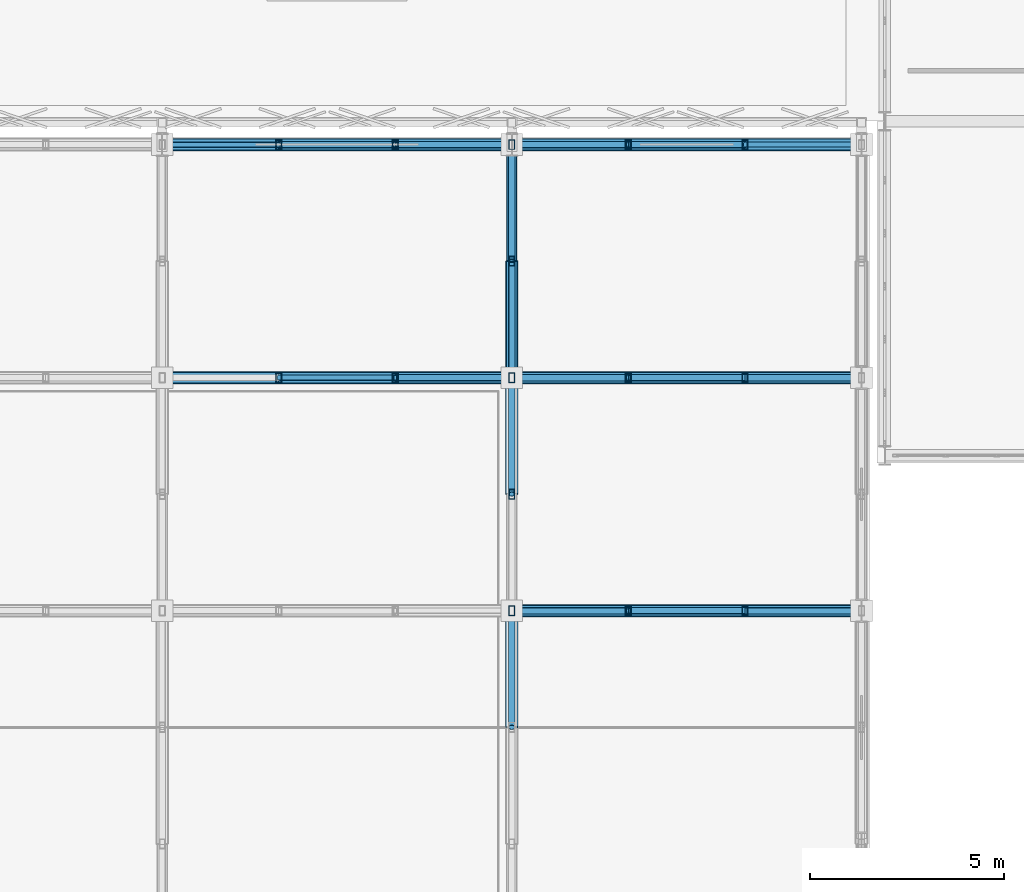
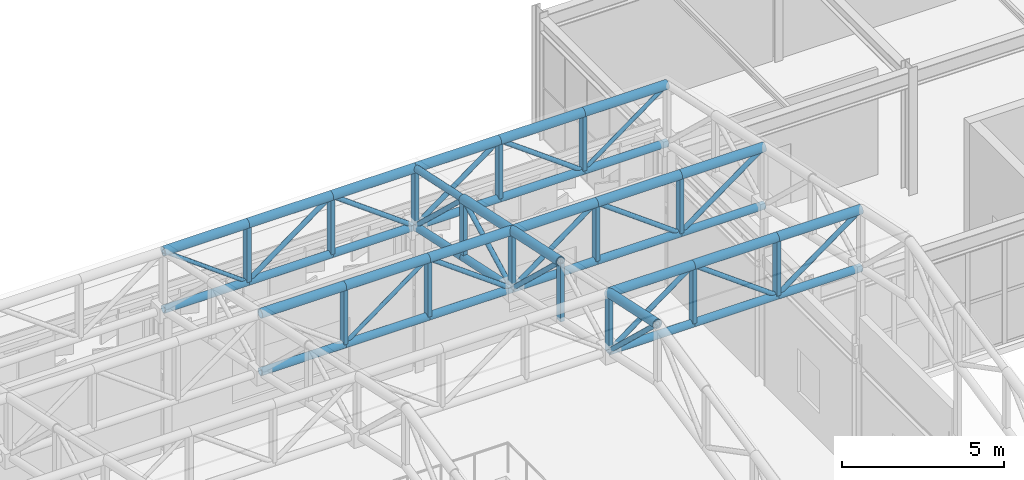
# One storey, part 22 of 112: 69 members.
"""IFC4 building model written with IfcOpenShell, lengths in metres."""

from ifc_helpers import new_model, si_unit, direction, frame, origin, origin_2d, place, context, subcontext, project, spatial, hollow_rectangle, hollow_circle, extrude, material, material_profile, profile_set, type_object, element, save


model = new_model("IFC4")

# Units and contexts
model_context = context("Model", 3, precision=1e-05, world=origin(), true_north=direction((0.0, 1.0)))
body_context = subcontext(model_context, "Body", "Model", "MODEL_VIEW")
ifc_project = project(units=[si_unit("LENGTHUNIT", "METRE"), si_unit("AREAUNIT", "SQUARE_METRE"), si_unit("VOLUMEUNIT", "CUBIC_METRE"), si_unit("PLANEANGLEUNIT", "RADIAN"), si_unit("MASSUNIT", "GRAM", prefix="KILO")], contexts=[model_context])

# Site, building, storey
site_placement = place(None, origin())
site = spatial("IfcSite", under=ifc_project, at=site_placement, CompositionType="ELEMENT")
building_placement = place(site_placement, origin())
building = spatial("IfcBuilding", under=site, at=building_placement, Name="Kaldris Quays Convention Centre", CompositionType="ELEMENT")
storey_placement = place(building_placement, frame((0.0, 0.0, 16.800048828125)))
storey = spatial("IfcBuildingStorey", under=building, at=storey_placement, Name="L03", CompositionType="ELEMENT", Elevation=16.800048828125)

# Members
ifc_material = material(Name="Steel S355J2H", Category="steel")
ifc_material_profile_1 = material_profile(ifc_material, hollow_circle(Radius=0.161865234375, WallThickness=0.01611328125, at=origin_2d()), Name="CHS 323.9x16")
ifc_profile_set_1 = profile_set([ifc_material_profile_1], Name="Steel S355J2H")
member_type_1 = type_object("IfcMemberType", Name="STRUCTURAL MEMBER SC03", PredefinedType="CHORD", material=ifc_profile_set_1)
for number, where, z_axis, x_axis, name in (
    (1, (74.0, 34.0, 10.09033203125), (1.0, 0.0, 0.0), (0.0, 1.0, 0.0), "SF-V3 Top Chord X 61"),
    (2, (77.0, 34.0, 10.09033203125), (1.0, 0.0, 0.0), (0.0, 1.0, 0.0), "SF-V3 Top Chord X 62"),
    (3, (80.0, 34.0, 10.09033203125), (1.0, 0.0, 0.0), (0.0, 1.0, 0.0), "SF-V3 Top Chord X 63"),
    (4, (65.0, 40.0, 8.810546875), (1.0, 0.0, 0.0), (0.0, 1.0, 0.0), "SF-V3 Top Chord X 79"),
    (5, (68.0, 40.0, 8.810546875), (1.0, 0.0, 0.0), (0.0, 1.0, 0.0), "SF-V3 Top Chord X 80"),
    (6, (71.0, 40.0, 8.810546875), (1.0, 0.0, 0.0), (0.0, 1.0, 0.0), "SF-V3 Top Chord X 81"),
    (7, (74.0, 40.0, 8.810546875), (1.0, 0.0, 0.0), (0.0, 1.0, 0.0), "SF-V3 Top Chord X 82"),
    (8, (77.0, 40.0, 8.810546875), (1.0, 0.0, 0.0), (0.0, 1.0, 0.0), "SF-V3 Top Chord X 83"),
    (9, (80.0, 40.0, 8.810546875), (1.0, 0.0, 0.0), (0.0, 1.0, 0.0), "SF-V3 Top Chord X 84"),
    (10, (65.0, 46.0, 7.530517578125), (1.0, 0.0, 0.0), (0.0, 1.0, 0.0), "SF-V3 Top Chord X 100"),
    (11, (68.0, 46.0, 7.530517578125), (1.0, 0.0, 0.0), (0.0, 1.0, 0.0), "SF-V3 Top Chord X 101"),
    (12, (71.0, 46.0, 7.530517578125), (1.0, 0.0, 0.0), (0.0, 1.0, 0.0), "SF-V3 Top Chord X 102"),
    (13, (74.0, 46.0, 7.530517578125), (1.0, 0.0, 0.0), (0.0, 1.0, 0.0), "SF-V3 Top Chord X 103"),
    (14, (77.0, 46.0, 7.530517578125), (1.0, 0.0, 0.0), (0.0, 1.0, 0.0), "SF-V3 Top Chord X 104"),
    (15, (80.0, 46.0, 7.530517578125), (1.0, 0.0, 0.0), (0.0, 1.0, 0.0), "SF-V3 Top Chord X 105"),
):
    element("IfcMember", number, at=place(storey_placement, frame(where, z_axis=z_axis, x_axis=x_axis)), inside=storey, type_object=member_type_1, Name=name, PredefinedType="CHORD", context=body_context, shape_type="SweptSolid", body=[
        extrude(hollow_circle(Radius=0.161865234375, WallThickness=0.01611328125, at=origin_2d()), origin(), (0.0, 0.0, 1.0), 3.0),
    ])
member_1_placement = place(storey_placement, frame((74.0, 31.0, 10.73046875), z_axis=(0.0, 0.977983741211, -0.20868110103), x_axis=(-1.0, 0.0, 0.0)))
element("IfcMember", 16, at=member_1_placement, inside=storey, type_object=member_type_1, Name="SF-V3 Top Chord Y 171", PredefinedType="CHORD", context=body_context, shape_type="SweptSolid", body=[
    extrude(hollow_circle(Radius=0.161865234375, WallThickness=0.01611328125, at=origin_2d()), origin(), (0.0, 0.0, 1.0), 3.067626953125),
])
member_2_placement = place(storey_placement, frame((74.0, 37.0, 9.450439453125), z_axis=(0.0, 0.977999981478, -0.208604976518), x_axis=(-1.0, 0.0, 0.0)))
element("IfcMember", 17, at=member_2_placement, inside=storey, type_object=member_type_1, Name="SF-V3 Top Chord Y 173", PredefinedType="CHORD", context=body_context, shape_type="SweptSolid", body=[
    extrude(hollow_circle(Radius=0.161865234375, WallThickness=0.01611328125, at=origin_2d()), origin(), (0.0, 0.0, 1.0), 3.0673828125),
])
member_3_placement = place(storey_placement, frame((74.0, 40.0, 8.810546875), z_axis=(0.0, 0.977983741211, -0.20868110103), x_axis=(-1.0, 0.0, 0.0)))
element("IfcMember", 18, at=member_3_placement, inside=storey, type_object=member_type_1, Name="SF-V3 Top Chord Y 174", PredefinedType="CHORD", context=body_context, shape_type="SweptSolid", body=[
    extrude(hollow_circle(Radius=0.161865234375, WallThickness=0.01611328125, at=origin_2d()), origin(), (0.0, 0.0, 1.0), 3.067626953125),
])
ifc_material_profile_2 = material_profile(ifc_material, hollow_circle(Radius=0.136474609375, WallThickness=0.012451171875, at=origin_2d()), Name="CHS 273x12.5")
ifc_profile_set_2 = profile_set([ifc_material_profile_2], Name="Steel S355J2H")
member_type_2 = type_object("IfcMemberType", Name="STRUCTURAL MEMBER SC04", PredefinedType="CHORD", material=ifc_profile_set_2)
for number, where, z_axis, x_axis, name in (
    (19, (74.0, 34.0, 7.890380859375), (1.0, 0.0, 0.0), (0.0, 1.0, 0.0), "SF-V3 Bottom Chord X 61"),
    (20, (77.0, 34.0, 7.890380859375), (1.0, 0.0, 0.0), (0.0, 1.0, 0.0), "SF-V3 Bottom Chord X 62"),
    (21, (80.0, 34.0, 7.890380859375), (1.0, 0.0, 0.0), (0.0, 1.0, 0.0), "SF-V3 Bottom Chord X 63"),
    (22, (65.0, 40.0, 6.6103515625), (1.0, 0.0, 0.0), (0.0, 1.0, 0.0), "SF-V3 Bottom Chord X 79"),
    (23, (68.0, 40.0, 6.6103515625), (1.0, 0.0, 0.0), (0.0, 1.0, 0.0), "SF-V3 Bottom Chord X 80"),
    (24, (71.0, 40.0, 6.6103515625), (1.0, 0.0, 0.0), (0.0, 1.0, 0.0), "SF-V3 Bottom Chord X 81"),
    (25, (74.0, 40.0, 6.6103515625), (1.0, 0.0, 0.0), (0.0, 1.0, 0.0), "SF-V3 Bottom Chord X 82"),
    (26, (77.0, 40.0, 6.6103515625), (1.0, 0.0, 0.0), (0.0, 1.0, 0.0), "SF-V3 Bottom Chord X 83"),
    (27, (80.0, 40.0, 6.6103515625), (1.0, 0.0, 0.0), (0.0, 1.0, 0.0), "SF-V3 Bottom Chord X 84"),
    (28, (65.0, 46.0, 5.33056640625), (1.0, 0.0, 0.0), (0.0, 1.0, 0.0), "SF-V3 Bottom Chord X 100"),
    (29, (68.0, 46.0, 5.33056640625), (1.0, 0.0, 0.0), (0.0, 1.0, 0.0), "SF-V3 Bottom Chord X 101"),
    (30, (71.0, 46.0, 5.33056640625), (1.0, 0.0, 0.0), (0.0, 1.0, 0.0), "SF-V3 Bottom Chord X 102"),
    (31, (74.0, 46.0, 5.33056640625), (1.0, 0.0, 0.0), (0.0, 1.0, 0.0), "SF-V3 Bottom Chord X 103"),
    (32, (77.0, 46.0, 5.33056640625), (1.0, 0.0, 0.0), (0.0, 1.0, 0.0), "SF-V3 Bottom Chord X 104"),
    (33, (80.0, 46.0, 5.33056640625), (1.0, 0.0, 0.0), (0.0, 1.0, 0.0), "SF-V3 Bottom Chord X 105"),
):
    element("IfcMember", number, at=place(storey_placement, frame(where, z_axis=z_axis, x_axis=x_axis)), inside=storey, type_object=member_type_2, Name=name, PredefinedType="CHORD", context=body_context, shape_type="SweptSolid", body=[
        extrude(hollow_circle(Radius=0.136474609375, WallThickness=0.012451171875, at=origin_2d()), origin(), (0.0, 0.0, 1.0), 3.0),
    ])
for number, where, z_axis, x_axis, name in (
    (34, (74.0, 40.0, 6.6103515625), (0.0, 0.977999981478, -0.208604976518), (-1.0, 0.0, 0.0), "SF-V3 Bottom Chord Y 174"),
    (35, (74.0, 43.0, 5.970458984375), (0.0, 0.977999981478, -0.208604976518), (-1.0, 0.0, 0.0), "SF-V3 Bottom Chord Y 175"),
):
    element("IfcMember", number, at=place(storey_placement, frame(where, z_axis=z_axis, x_axis=x_axis)), inside=storey, type_object=member_type_2, Name=name, PredefinedType="CHORD", context=body_context, shape_type="SweptSolid", body=[
        extrude(hollow_circle(Radius=0.136474609375, WallThickness=0.012451171875, at=origin_2d()), origin(), (0.0, 0.0, 1.0), 3.0673828125),
    ])
ifc_material_profile_3 = material_profile(ifc_material, hollow_circle(Radius=0.122314453125, WallThickness=0.010009765625, at=origin_2d()), Name="CHS 244.5x10")
ifc_profile_set_3 = profile_set([ifc_material_profile_3], Name="Steel S355J2H")
member_type_3 = type_object("IfcMemberType", Name="STRUCTURAL MEMBER SC05", PredefinedType="CHORD", material=ifc_profile_set_3)
member_4_placement = place(storey_placement, frame((74.0, 43.0, 8.17041015625), z_axis=(0.0, 0.977999981478, -0.208604976518), x_axis=(-1.0, 0.0, 0.0)))
element("IfcMember", 36, at=member_4_placement, inside=storey, type_object=member_type_3, Name="SF-V3 Top Chord Y 175", PredefinedType="CHORD", context=body_context, shape_type="SweptSolid", body=[
    extrude(hollow_circle(Radius=0.122314453125, WallThickness=0.010009765625, at=origin_2d()), origin(), (0.0, 0.0, 1.0), 3.0673828125),
])
ifc_material_profile_4 = material_profile(ifc_material, hollow_circle(Radius=0.084228515625, WallThickness=0.008056640625, at=origin_2d()), Name="CHS 168.3x8")
ifc_profile_set_4 = profile_set([ifc_material_profile_4], Name="Steel S355J2H")
member_type_4 = type_object("IfcMemberType", Name="STRUCTURAL MEMBER SWB2", PredefinedType="BRACE", material=ifc_profile_set_4)
for number, where, z_axis, x_axis, name in (
    (37, (74.0, 34.0, 7.890380859375), (0.80641125493, 0.0, 0.591355128432), (0.0, 1.0, 0.0), "SF-V3 Web Diagonal X 61"),
    (38, (80.0, 34.0, 7.890380859375), (-0.80641125493, 0.0, 0.591355128432), (0.0, -1.0, 0.0), "SF-V3 Web Diagonal X 62"),
    (39, (80.0, 34.0, 7.890380859375), (0.80641125493, 0.0, 0.591355128432), (0.0, 1.0, 0.0), "SF-V3 Web Diagonal X 63"),
    (40, (74.0, 40.0, 6.6103515625), (-0.806379959628, 0.0, 0.591397802423), (0.0, -1.0, 0.0), "SF-V3 Web Diagonal X 81"),
    (41, (74.0, 40.0, 6.6103515625), (0.806379959628, 0.0, 0.591397802423), (0.0, 1.0, 0.0), "SF-V3 Web Diagonal X 82"),
    (42, (80.0, 40.0, 6.6103515625), (-0.806379959628, 0.0, 0.591397802423), (0.0, -1.0, 0.0), "SF-V3 Web Diagonal X 83"),
    (43, (80.0, 40.0, 6.6103515625), (0.806379959628, 0.0, 0.591397802423), (0.0, 1.0, 0.0), "SF-V3 Web Diagonal X 84"),
    (44, (68.0, 46.0, 5.33056640625), (0.80641125493, 0.0, 0.591355128432), (0.0, 1.0, 0.0), "SF-V3 Web Diagonal X 101"),
    (45, (74.0, 46.0, 5.33056640625), (-0.80641125493, 0.0, 0.591355128432), (0.0, -1.0, 0.0), "SF-V3 Web Diagonal X 102"),
    (46, (74.0, 46.0, 5.33056640625), (0.80641125493, 0.0, 0.591355128432), (0.0, 1.0, 0.0), "SF-V3 Web Diagonal X 103"),
    (47, (80.0, 46.0, 5.33056640625), (-0.80641125493, 0.0, 0.591355128432), (0.0, -1.0, 0.0), "SF-V3 Web Diagonal X 104"),
):
    element("IfcMember", number, at=place(storey_placement, frame(where, z_axis=z_axis, x_axis=x_axis)), inside=storey, type_object=member_type_4, Name=name, PredefinedType="BRACE", context=body_context, shape_type="SweptSolid", body=[
        extrude(hollow_circle(Radius=0.084228515625, WallThickness=0.008056640625, at=origin_2d()), origin(), (0.0, 0.0, 1.0), 3.72021484375),
    ])
for number, where, z_axis, x_axis, name in (
    (48, (74.0, 34.0, 7.890380859375), (0.0, -0.726196449967, 0.687487247922), (1.0, 0.0, 0.0), "SF-V3 Web Diagonal Y 171"),
    (49, (74.0, 40.0, 6.6103515625), (0.0, -0.726196449967, 0.687487247922), (1.0, 0.0, 0.0), "SF-V3 Web Diagonal Y 173"),
):
    element("IfcMember", number, at=place(storey_placement, frame(where, z_axis=z_axis, x_axis=x_axis)), inside=storey, type_object=member_type_4, Name=name, PredefinedType="BRACE", context=body_context, shape_type="SweptSolid", body=[
        extrude(hollow_circle(Radius=0.084228515625, WallThickness=0.008056640625, at=origin_2d()), origin(), (0.0, 0.0, 1.0), 4.131103515625),
    ])
member_5_placement = place(storey_placement, frame((74.0, 40.0, 6.6103515625), z_axis=(0.0, 0.887209708306, 0.461366376634), x_axis=(-1.0, 0.0, 0.0)))
element("IfcMember", 50, at=member_5_placement, inside=storey, type_object=member_type_4, Name="SF-V3 Web Diagonal Y 174", PredefinedType="BRACE", context=body_context, shape_type="SweptSolid", body=[
    extrude(hollow_circle(Radius=0.084228515625, WallThickness=0.008056640625, at=origin_2d()), origin(), (0.0, 0.0, 1.0), 3.38134765625),
])
member_6_placement = place(storey_placement, frame((74.0, 46.0, 5.33056640625), z_axis=(0.0, -0.72622595523, 0.687456080016), x_axis=(1.0, 0.0, 0.0)))
element("IfcMember", 51, at=member_6_placement, inside=storey, type_object=member_type_4, Name="SF-V3 Web Diagonal Y 175", PredefinedType="BRACE", context=body_context, shape_type="SweptSolid", body=[
    extrude(hollow_circle(Radius=0.084228515625, WallThickness=0.008056640625, at=origin_2d()), origin(), (0.0, 0.0, 1.0), 4.130859375),
])
ifc_material_profile_5 = material_profile(ifc_material, hollow_circle(Radius=0.06982421875, WallThickness=0.00634765625, at=origin_2d()), Name="CHS 139.7x6.3")
ifc_profile_set_5 = profile_set([ifc_material_profile_5], Name="Steel S355J2H")
member_type_5 = type_object("IfcMemberType", Name="STRUCTURAL MEMBER SWB4", PredefinedType="BRACE", material=ifc_profile_set_5)
for number, where, z_axis, x_axis, name in (
    (52, (68.0, 40.0, 6.6103515625), (0.806379959628, 0.0, 0.591397802423), (0.0, 1.0, 0.0), "SF-V3 Web Diagonal X 80"),
    (53, (68.0, 46.0, 5.33056640625), (-0.80641125493, 0.0, 0.591355128432), (0.0, -1.0, 0.0), "SF-V3 Web Diagonal X 100"),
    (54, (80.0, 46.0, 5.33056640625), (0.80641125493, 0.0, 0.591355128432), (0.0, 1.0, 0.0), "SF-V3 Web Diagonal X 105"),
):
    element("IfcMember", number, at=place(storey_placement, frame(where, z_axis=z_axis, x_axis=x_axis)), inside=storey, type_object=member_type_5, Name=name, PredefinedType="BRACE", context=body_context, shape_type="SweptSolid", body=[
        extrude(hollow_circle(Radius=0.06982421875, WallThickness=0.00634765625, at=origin_2d()), origin(), (0.0, 0.0, 1.0), 3.72021484375),
    ])
ifc_material_profile_6 = material_profile(ifc_material, hollow_rectangle(XDim=0.14990234375, YDim=0.25, WallThickness=0.010009765625, at=origin_2d()), Name="RHS 250x150x10")
ifc_profile_set_6 = profile_set([ifc_material_profile_6], Name="Steel S355J2H")
member_type_6 = type_object("IfcMemberType", Name="STRUCTURAL MEMBER TTV1", PredefinedType="POST", material=ifc_profile_set_6)
member_7_placement = place(storey_placement, frame((68.0, 40.0, 6.6103515625), z_axis=(0.0, 0.0, 1.0), x_axis=(1.0, 0.0, 0.0)))
element("IfcMember", 55, at=member_7_placement, inside=storey, type_object=member_type_6, Name="SF-V3 Space-Frame Post 120", PredefinedType="POST", context=body_context, shape_type="SweptSolid", body=[
    extrude(hollow_rectangle(XDim=0.14990234375, YDim=0.25, WallThickness=0.010009765625, at=origin_2d()), origin(), (0.0, 0.0, 1.0), 2.2001953125),
])
member_8_placement = place(storey_placement, frame((68.0, 46.0, 5.33056640625), z_axis=(0.0, 0.0, 1.0), x_axis=(1.0, 0.0, 0.0)))
element("IfcMember", 56, at=member_8_placement, inside=storey, type_object=member_type_6, Name="SF-V3 Space-Frame Post 121", PredefinedType="POST", context=body_context, shape_type="SweptSolid", body=[
    extrude(hollow_rectangle(XDim=0.14990234375, YDim=0.25, WallThickness=0.010009765625, at=origin_2d()), origin(), (0.0, 0.0, 1.0), 2.199951171875),
])
member_9_placement = place(storey_placement, frame((71.0, 40.0, 6.6103515625), z_axis=(0.0, 0.0, 1.0), x_axis=(1.0, 0.0, 0.0)))
element("IfcMember", 57, at=member_9_placement, inside=storey, type_object=member_type_6, Name="SF-V3 Space-Frame Post 125", PredefinedType="POST", context=body_context, shape_type="SweptSolid", body=[
    extrude(hollow_rectangle(XDim=0.14990234375, YDim=0.25, WallThickness=0.010009765625, at=origin_2d()), origin(), (0.0, 0.0, 1.0), 2.2001953125),
])
for number, where, z_axis, x_axis, name in (
    (58, (71.0, 46.0, 5.33056640625), (0.0, 0.0, 1.0), (1.0, 0.0, 0.0), "SF-V3 Space-Frame Post 126"),
    (59, (74.0, 34.0, 7.890380859375), (0.0, 0.0, 1.0), (1.0, 0.0, 0.0), "SF-V3 Space-Frame Post 133"),
    (60, (74.0, 37.0, 7.25048828125), (0.0, 0.0, 1.0), (1.0, 0.0, 0.0), "SF-V3 Space-Frame Post 134"),
):
    element("IfcMember", number, at=place(storey_placement, frame(where, z_axis=z_axis, x_axis=x_axis)), inside=storey, type_object=member_type_6, Name=name, PredefinedType="POST", context=body_context, shape_type="SweptSolid", body=[
        extrude(hollow_rectangle(XDim=0.14990234375, YDim=0.25, WallThickness=0.010009765625, at=origin_2d()), origin(), (0.0, 0.0, 1.0), 2.199951171875),
    ])
member_10_placement = place(storey_placement, frame((74.0, 40.0, 6.6103515625), z_axis=(0.0, 0.0, 1.0), x_axis=(1.0, 0.0, 0.0)))
element("IfcMember", 61, at=member_10_placement, inside=storey, type_object=member_type_6, Name="SF-V3 Space-Frame Post 135", PredefinedType="POST", context=body_context, shape_type="SweptSolid", body=[
    extrude(hollow_rectangle(XDim=0.14990234375, YDim=0.25, WallThickness=0.010009765625, at=origin_2d()), origin(), (0.0, 0.0, 1.0), 2.2001953125),
])
member_11_placement = place(storey_placement, frame((74.0, 43.0, 5.970458984375), z_axis=(0.0, 0.0, 1.0), x_axis=(1.0, 0.0, 0.0)))
element("IfcMember", 62, at=member_11_placement, inside=storey, type_object=member_type_6, Name="SF-V3 Space-Frame Post 136", PredefinedType="POST", context=body_context, shape_type="SweptSolid", body=[
    extrude(hollow_rectangle(XDim=0.14990234375, YDim=0.25, WallThickness=0.010009765625, at=origin_2d()), origin(), (0.0, 0.0, 1.0), 2.199951171875),
])
member_12_placement = place(storey_placement, frame((74.0, 46.0, 5.19384765625), z_axis=(0.0, 0.0, 1.0), x_axis=(1.0, 0.0, 0.0)))
element("IfcMember", 63, at=member_12_placement, inside=storey, type_object=member_type_6, Name="SF-V3 Space-Frame Post 137", PredefinedType="POST", context=body_context, shape_type="SweptSolid", body=[
    extrude(hollow_rectangle(XDim=0.14990234375, YDim=0.25, WallThickness=0.010009765625, at=origin_2d()), origin(), (0.0, 0.0, 1.0), 2.336669921875),
])
member_13_placement = place(storey_placement, frame((77.0, 34.0, 7.890380859375), z_axis=(0.0, 0.0, 1.0), x_axis=(1.0, 0.0, 0.0)))
element("IfcMember", 64, at=member_13_placement, inside=storey, type_object=member_type_6, Name="SF-V3 Space-Frame Post 140", PredefinedType="POST", context=body_context, shape_type="SweptSolid", body=[
    extrude(hollow_rectangle(XDim=0.14990234375, YDim=0.25, WallThickness=0.010009765625, at=origin_2d()), origin(), (0.0, 0.0, 1.0), 2.199951171875),
])
member_14_placement = place(storey_placement, frame((77.0, 40.0, 6.6103515625), z_axis=(0.0, 0.0, 1.0), x_axis=(1.0, 0.0, 0.0)))
element("IfcMember", 65, at=member_14_placement, inside=storey, type_object=member_type_6, Name="SF-V3 Space-Frame Post 141", PredefinedType="POST", context=body_context, shape_type="SweptSolid", body=[
    extrude(hollow_rectangle(XDim=0.14990234375, YDim=0.25, WallThickness=0.010009765625, at=origin_2d()), origin(), (0.0, 0.0, 1.0), 2.2001953125),
])
for number, where, z_axis, x_axis, name in (
    (66, (77.0, 46.0, 5.33056640625), (0.0, 0.0, 1.0), (1.0, 0.0, 0.0), "SF-V3 Space-Frame Post 142"),
    (67, (80.0, 34.0, 7.890380859375), (0.0, 0.0, 1.0), (1.0, 0.0, 0.0), "SF-V3 Space-Frame Post 145"),
):
    element("IfcMember", number, at=place(storey_placement, frame(where, z_axis=z_axis, x_axis=x_axis)), inside=storey, type_object=member_type_6, Name=name, PredefinedType="POST", context=body_context, shape_type="SweptSolid", body=[
        extrude(hollow_rectangle(XDim=0.14990234375, YDim=0.25, WallThickness=0.010009765625, at=origin_2d()), origin(), (0.0, 0.0, 1.0), 2.199951171875),
    ])
member_15_placement = place(storey_placement, frame((80.0, 40.0, 6.6103515625), z_axis=(0.0, 0.0, 1.0), x_axis=(1.0, 0.0, 0.0)))
element("IfcMember", 68, at=member_15_placement, inside=storey, type_object=member_type_6, Name="SF-V3 Space-Frame Post 146", PredefinedType="POST", context=body_context, shape_type="SweptSolid", body=[
    extrude(hollow_rectangle(XDim=0.14990234375, YDim=0.25, WallThickness=0.010009765625, at=origin_2d()), origin(), (0.0, 0.0, 1.0), 2.2001953125),
])
member_16_placement = place(storey_placement, frame((80.0, 46.0, 5.33056640625), z_axis=(0.0, 0.0, 1.0), x_axis=(1.0, 0.0, 0.0)))
element("IfcMember", 69, at=member_16_placement, inside=storey, type_object=member_type_6, Name="SF-V3 Space-Frame Post 147", PredefinedType="POST", context=body_context, shape_type="SweptSolid", body=[
    extrude(hollow_rectangle(XDim=0.14990234375, YDim=0.25, WallThickness=0.010009765625, at=origin_2d()), origin(), (0.0, 0.0, 1.0), 2.199951171875),
])

save(model, "model.ifc")
